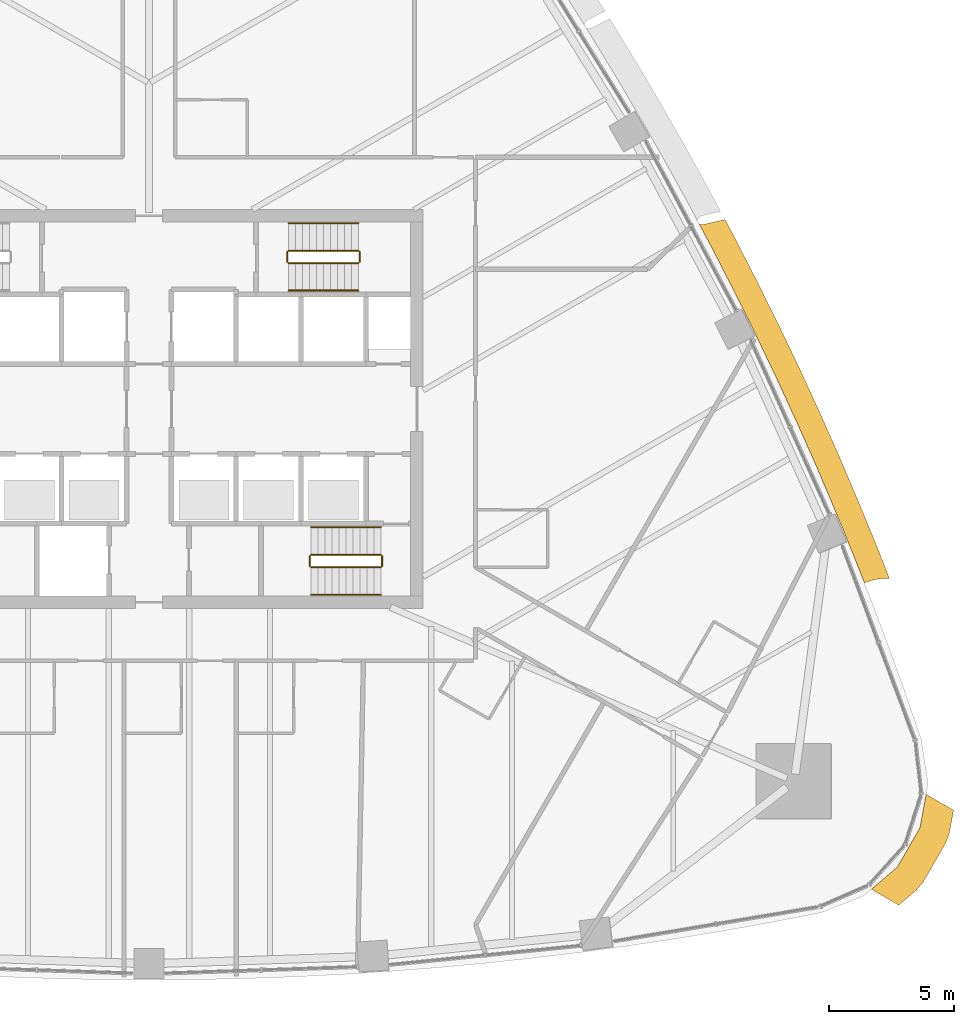
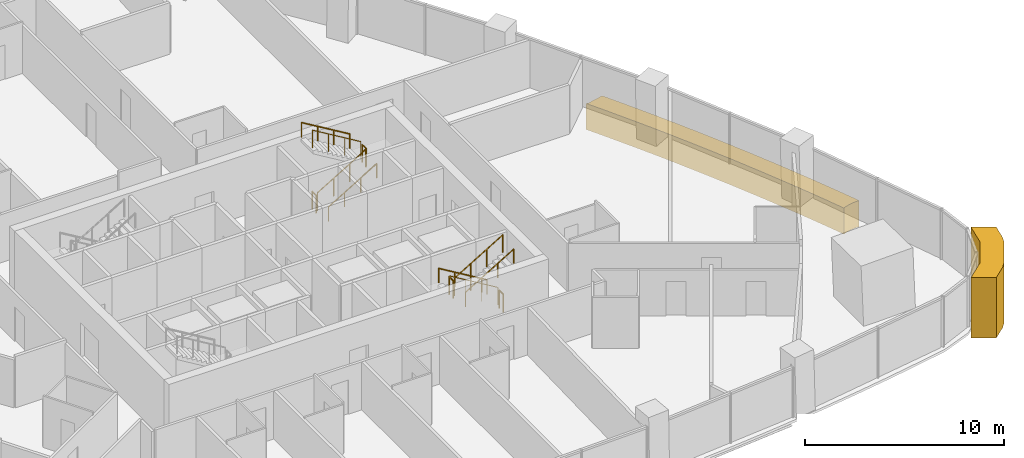
# One storey, part 15 of 17: 12 railings, 2 coverings.
"""IFC4 building model written with IfcOpenShell, lengths in metres."""

from ifc_helpers import new_model, si_unit, direction, frame, origin, origin_2d, place, context, subcontext, project, spatial, polyline, circle, outline, extrude, material, layer, layer_set, type_object, element, save


model = new_model("IFC4")

# Units and contexts
model_context = context("Model", 3, precision=1e-05, world=origin(), true_north=direction((0.0, 1.0)))
body_context = subcontext(model_context, "Body", "Model", "MODEL_VIEW")
ifc_project = project(units=[si_unit("LENGTHUNIT", "METRE"), si_unit("AREAUNIT", "SQUARE_METRE"), si_unit("VOLUMEUNIT", "CUBIC_METRE"), si_unit("PLANEANGLEUNIT", "RADIAN"), si_unit("MASSUNIT", "GRAM", prefix="KILO")], contexts=[model_context])

# Site, building, storey
site_placement = place(None, origin())
site = spatial("IfcSite", under=ifc_project, at=site_placement, CompositionType="ELEMENT")
building_placement = place(site_placement, origin())
building = spatial("IfcBuilding", under=site, at=building_placement, Name="Sierra Prisma Convention Tower", CompositionType="ELEMENT")
storey_placement = place(building_placement, frame((0.0, 0.0, 92.39990234375)))
storey = spatial("IfcBuildingStorey", under=building, at=storey_placement, Name="L19", CompositionType="ELEMENT", Elevation=92.39990234375)

# Coverings
ifc_material_1 = material(Name="Aluminium composite bronze anodised", Category="aluminium")
ifc_layer_1 = layer(ifc_material_1, 1.199951171875)
ifc_layer_set_1 = layer_set([ifc_layer_1], Name="Bronze corner pier")
covering_type_1 = type_object("IfcCoveringType", Name="Bronze corner pier", PredefinedType="CLADDING", material=ifc_layer_set_1)
covering_1_placement = place(storey_placement, frame((0.0, 0.0, -0.599853515625)))
element("IfcCovering", 1, at=covering_1_placement, inside=storey, type_object=covering_type_1, Name="Corner pier SE L19.1", PredefinedType="CLADDING", context=body_context, shape_type="SweptSolid", body=[
    extrude(outline(polyline([(32.27685546875, -16.0947265625), (32.102783203125, -17.027099609375), (31.96240234375, -17.406982421875), (31.055908203125, -18.976806640625), (30.79736328125, -19.288330078125), (30.076904296875, -19.9052734375), (28.974853515625, -19.26904296875), (30.016845703125, -18.376708984375), (30.923095703125, -16.806884765625), (31.1748046875, -15.45849609375), (32.27685546875, -16.0947265625)])), origin(), (0.0, 0.0, 1.0), 3.699951171875),
])
ifc_material_2 = material(Name="Aluminium composite bronze anodised", Category="aluminium")
ifc_layer_2 = layer(ifc_material_2, 1.0)
ifc_layer_set_2 = layer_set([ifc_layer_2], Name="Bronze spandrel band")
covering_type_2 = type_object("IfcCoveringType", Name="Bronze spandrel band", PredefinedType="CLADDING", material=ifc_layer_set_2)
covering_2_placement = place(storey_placement, frame((0.0, 0.0, -1.599853515625)))
element("IfcCovering", 2, at=covering_2_placement, inside=storey, type_object=covering_type_2, Name="Spandrel band L19.3", PredefinedType="CLADDING", context=body_context, shape_type="SweptSolid", body=[
    extrude(outline(polyline([(27.578857421875, -4.1982421875), (27.566162109375, -4.167236328125), (26.80712890625, -2.384521484375), (26.022705078125, -0.612548828125), (25.213134765625, 1.14794921875), (24.37841796875, 2.896728515625), (24.36376953125, 2.9267578125), (24.363037109375, 2.929443359375), (24.361572265625, 2.93408203125), (24.359619140625, 2.938720703125), (23.830078125, 4.015380859375), (23.82763671875, 4.019775390625), (23.824951171875, 4.023681640625), (23.822021484375, 4.02734375), (23.818359375, 4.03076171875), (23.81689453125, 4.031982421875), (23.51904296875, 4.633544921875), (22.635009765625, 6.35791015625), (22.06689453125, 7.42822265625), (22.07080078125, 7.42529296875), (22.0751953125, 7.4228515625), (22.07958984375, 7.4208984375), (22.084228515625, 7.419189453125), (22.089111328125, 7.41796875), (22.19970703125, 7.396484375), (22.204833984375, 7.395751953125), (22.2099609375, 7.3955078125), (22.215087890625, 7.39599609375), (22.22021484375, 7.39697265625), (23.107421875, 7.60107421875), (23.518310546875, 6.82666015625), (23.52490234375, 6.814208984375), (24.408935546875, 5.08984375), (24.415283203125, 5.076904296875), (25.27490234375, 3.34033203125), (25.281005859375, 3.327392578125), (26.115478515625, 1.57861328125), (26.12158203125, 1.56591796875), (26.93115234375, -0.194580078125), (26.93701171875, -0.207763671875), (27.721435546875, -1.9794921875), (27.72705078125, -1.99267578125), (28.486083984375, -3.775390625), (28.49169921875, -3.788818359375), (29.225341796875, -5.58203125), (29.230712890625, -5.595458984375), (29.700439453125, -6.79248046875), (29.48681640625, -6.795654296875), (29.241455078125, -6.823486328125), (29.0, -6.875), (28.7646484375, -6.949951171875), (28.697998046875, -6.97509765625), (28.2998046875, -5.960693359375), (28.045654296875, -5.339599609375), (28.0458984375, -5.337890625), (28.04541015625, -5.3330078125), (28.044921875, -5.328125), (28.043701171875, -5.3232421875), (28.0419921875, -5.318603515625), (27.585205078125, -4.208984375), (27.5830078125, -4.204833984375), (27.58056640625, -4.20068359375), (27.578857421875, -4.1982421875)])), origin(), (0.0, 0.0, 1.0), 1.599853515625),
])

# Railings
ifc_material_3 = material(Name="Stainless steel", Category="steel")
railing_type_1 = type_object("IfcRailingType", Name="Exit stair handrail", PredefinedType="HANDRAIL", material=ifc_material_3)
railing_1_placement = place(storey_placement, frame((9.300048828125, -4.75, 0.168212890625)))
element("IfcRailing", 3, at=railing_1_placement, inside=storey, type_object=railing_type_1, Name="L19 S2 stair handrail 1", PredefinedType="HANDRAIL", context=body_context, shape_type="SweptSolid", body=[
    extrude(circle(Radius=0.02392578125, at=origin_2d()), frame((0.0, 0.0, 0.8759765625), z_axis=(-0.857242210791, 0.0, 0.514913383045), x_axis=(0.0, -1.0, 0.0)), (0.0, 0.0, 1.0), 3.266357421875),
    extrude(circle(Radius=0.02099609375, at=origin_2d()), origin(), (0.0, 0.0, 1.0), 0.851806640625),
    extrude(circle(Radius=0.02099609375, at=origin_2d()), frame((-0.933349609375, 0.0, 0.560546875)), (0.0, 0.0, 1.0), 0.851806640625),
    extrude(circle(Radius=0.02099609375, at=origin_2d()), frame((-1.86669921875, 0.0, 1.121337890625)), (0.0, 0.0, 1.0), 0.851806640625),
    extrude(circle(Radius=0.02099609375, at=origin_2d()), frame((-2.800048828125, 0.0, 1.681884765625)), (0.0, 0.0, 1.0), 0.851806640625),
])
railing_2_placement = place(storey_placement, frame((6.5, -7.449951171875, 2.018310546875)))
element("IfcRailing", 4, at=railing_2_placement, inside=storey, type_object=railing_type_1, Name="L19 S2 stair handrail 2", PredefinedType="HANDRAIL", context=body_context, shape_type="SweptSolid", body=[
    extrude(circle(Radius=0.02392578125, at=origin_2d()), frame((0.0, 0.0, 0.8759765625), z_axis=(0.857242210791, 0.0, 0.514913383045), x_axis=(0.0, 1.0, 0.0)), (0.0, 0.0, 1.0), 3.266357421875),
    extrude(circle(Radius=0.02099609375, at=origin_2d()), origin(), (0.0, 0.0, 1.0), 0.851806640625),
    extrude(circle(Radius=0.02099609375, at=origin_2d()), frame((0.933349609375, 0.0, 0.560546875)), (0.0, 0.0, 1.0), 0.851806640625),
    extrude(circle(Radius=0.02099609375, at=origin_2d()), frame((1.86669921875, 0.0, 1.121337890625)), (0.0, 0.0, 1.0), 0.851806640625),
    extrude(circle(Radius=0.02099609375, at=origin_2d()), frame((2.800048828125, 0.0, 1.681884765625)), (0.0, 0.0, 1.0), 0.851806640625),
])
railing_3_placement = place(storey_placement, frame((5.60009765625, 4.75, 0.168212890625)))
element("IfcRailing", 5, at=railing_3_placement, inside=storey, type_object=railing_type_1, Name="L19 S4 stair handrail 1", PredefinedType="HANDRAIL", context=body_context, shape_type="SweptSolid", body=[
    extrude(circle(Radius=0.02392578125, at=origin_2d()), frame((0.0, 0.0, 0.8759765625), z_axis=(0.857222391501, 0.0, 0.514946377315), x_axis=(0.0, 1.0, 0.0)), (0.0, 0.0, 1.0), 3.26611328125),
    extrude(circle(Radius=0.02099609375, at=origin_2d()), origin(), (0.0, 0.0, 1.0), 0.851806640625),
    extrude(circle(Radius=0.02099609375, at=origin_2d()), frame((0.933349609375, 0.0, 0.560546875)), (0.0, 0.0, 1.0), 0.851806640625),
    extrude(circle(Radius=0.02099609375, at=origin_2d()), frame((1.866455078125, 0.0, 1.121337890625)), (0.0, 0.0, 1.0), 0.851806640625),
    extrude(circle(Radius=0.02099609375, at=origin_2d()), frame((2.7998046875, 0.0, 1.681884765625)), (0.0, 0.0, 1.0), 0.851806640625),
])
railing_4_placement = place(storey_placement, frame((8.39990234375, 7.449951171875, 2.018310546875)))
element("IfcRailing", 6, at=railing_4_placement, inside=storey, type_object=railing_type_1, Name="L19 S4 stair handrail 2", PredefinedType="HANDRAIL", context=body_context, shape_type="SweptSolid", body=[
    extrude(circle(Radius=0.02392578125, at=origin_2d()), frame((0.0, 0.0, 0.8759765625), z_axis=(-0.857222391501, 0.0, 0.514946377315), x_axis=(0.0, -1.0, 0.0)), (0.0, 0.0, 1.0), 3.26611328125),
    extrude(circle(Radius=0.02099609375, at=origin_2d()), origin(), (0.0, 0.0, 1.0), 0.851806640625),
    extrude(circle(Radius=0.02099609375, at=origin_2d()), frame((-0.933349609375, 0.0, 0.560546875)), (0.0, 0.0, 1.0), 0.851806640625),
    extrude(circle(Radius=0.02099609375, at=origin_2d()), frame((-1.866455078125, 0.0, 1.121337890625)), (0.0, 0.0, 1.0), 0.851806640625),
    extrude(circle(Radius=0.02099609375, at=origin_2d()), frame((-2.7998046875, 0.0, 1.681884765625)), (0.0, 0.0, 1.0), 0.851806640625),
])
ifc_material_4 = material(Name="Stainless steel", Category="steel")
railing_type_2 = type_object("IfcRailingType", Name="Stair guard 1100", PredefinedType="GUARDRAIL", material=ifc_material_4)
railing_5_placement = place(storey_placement, frame((9.300048828125, -5.85009765625, 0.168212890625)))
element("IfcRailing", 7, at=railing_5_placement, inside=storey, type_object=railing_type_2, Name="L19 S2 stair guard 1", PredefinedType="GUARDRAIL", context=body_context, shape_type="SweptSolid", body=[
    extrude(circle(Radius=0.02392578125, at=origin_2d()), frame((0.0, 0.0, 1.076171875), z_axis=(-0.857242210791, 0.0, 0.514913383045), x_axis=(0.0, -1.0, 0.0)), (0.0, 0.0, 1.0), 3.266357421875),
    extrude(circle(Radius=0.02099609375, at=origin_2d()), origin(), (0.0, 0.0, 1.0), 1.052001953125),
    extrude(circle(Radius=0.02099609375, at=origin_2d()), frame((-0.933349609375, 0.0, 0.560546875)), (0.0, 0.0, 1.0), 1.052001953125),
    extrude(circle(Radius=0.02099609375, at=origin_2d()), frame((-1.86669921875, 0.0, 1.121337890625)), (0.0, 0.0, 1.0), 1.052001953125),
    extrude(circle(Radius=0.02099609375, at=origin_2d()), frame((-2.800048828125, 0.0, 1.681884765625)), (0.0, 0.0, 1.0), 1.052001953125),
])
railing_6_placement = place(storey_placement, frame((6.449951171875, -5.89990234375, 1.85009765625)))
element("IfcRailing", 8, at=railing_6_placement, inside=storey, type_object=railing_type_2, Name="L19 S2 stair guard 2", PredefinedType="GUARDRAIL", context=body_context, shape_type="SweptSolid", body=[
    extrude(circle(Radius=0.02392578125, at=origin_2d()), frame((0.0, 0.0, 1.076171875), z_axis=(0.0, -1.0, 0.0), x_axis=(1.0, 0.0, 0.0)), (0.0, 0.0, 1.0), 0.400146484375),
    extrude(circle(Radius=0.02099609375, at=origin_2d()), origin(), (0.0, 0.0, 1.0), 1.052001953125),
    extrude(circle(Radius=0.02099609375, at=origin_2d()), frame((0.0, -0.400146484375, 0.0)), (0.0, 0.0, 1.0), 1.052001953125),
])
railing_7_placement = place(storey_placement, frame((6.5, -6.35009765625, 2.018310546875)))
element("IfcRailing", 9, at=railing_7_placement, inside=storey, type_object=railing_type_2, Name="L19 S2 stair guard 3", PredefinedType="GUARDRAIL", context=body_context, shape_type="SweptSolid", body=[
    extrude(circle(Radius=0.02392578125, at=origin_2d()), frame((0.0, 0.0, 1.076171875), z_axis=(0.857242210791, 0.0, 0.514913383045), x_axis=(0.0, 1.0, 0.0)), (0.0, 0.0, 1.0), 3.266357421875),
    extrude(circle(Radius=0.02099609375, at=origin_2d()), origin(), (0.0, 0.0, 1.0), 1.052001953125),
    extrude(circle(Radius=0.02099609375, at=origin_2d()), frame((0.933349609375, 0.0, 0.560546875)), (0.0, 0.0, 1.0), 1.052001953125),
    extrude(circle(Radius=0.02099609375, at=origin_2d()), frame((1.86669921875, 0.0, 1.121337890625)), (0.0, 0.0, 1.0), 1.052001953125),
    extrude(circle(Radius=0.02099609375, at=origin_2d()), frame((2.800048828125, 0.0, 1.681884765625)), (0.0, 0.0, 1.0), 1.052001953125),
])
railing_8_placement = place(storey_placement, frame((9.35009765625, -5.89990234375, 0.0)))
element("IfcRailing", 10, at=railing_8_placement, inside=storey, type_object=railing_type_2, Name="L19 S2 stair guard 4", PredefinedType="GUARDRAIL", context=body_context, shape_type="SweptSolid", body=[
    extrude(circle(Radius=0.02392578125, at=origin_2d()), frame((0.0, 0.0, 1.076171875), z_axis=(0.0, -1.0, 0.0), x_axis=(1.0, 0.0, 0.0)), (0.0, 0.0, 1.0), 0.400146484375),
    extrude(circle(Radius=0.02099609375, at=origin_2d()), origin(), (0.0, 0.0, 1.0), 1.052001953125),
    extrude(circle(Radius=0.02099609375, at=origin_2d()), frame((0.0, -0.400146484375, 0.0)), (0.0, 0.0, 1.0), 1.052001953125),
])
railing_9_placement = place(storey_placement, frame((5.60009765625, 5.85009765625, 0.168212890625)))
element("IfcRailing", 11, at=railing_9_placement, inside=storey, type_object=railing_type_2, Name="L19 S4 stair guard 1", PredefinedType="GUARDRAIL", context=body_context, shape_type="SweptSolid", body=[
    extrude(circle(Radius=0.02392578125, at=origin_2d()), frame((0.0, 0.0, 1.076171875), z_axis=(0.857222391501, 0.0, 0.514946377315), x_axis=(0.0, 1.0, 0.0)), (0.0, 0.0, 1.0), 3.26611328125),
    extrude(circle(Radius=0.02099609375, at=origin_2d()), origin(), (0.0, 0.0, 1.0), 1.052001953125),
    extrude(circle(Radius=0.02099609375, at=origin_2d()), frame((0.933349609375, 0.0, 0.560546875)), (0.0, 0.0, 1.0), 1.052001953125),
    extrude(circle(Radius=0.02099609375, at=origin_2d()), frame((1.866455078125, 0.0, 1.121337890625)), (0.0, 0.0, 1.0), 1.052001953125),
    extrude(circle(Radius=0.02099609375, at=origin_2d()), frame((2.7998046875, 0.0, 1.681884765625)), (0.0, 0.0, 1.0), 1.052001953125),
])
railing_10_placement = place(storey_placement, frame((8.449951171875, 5.89990234375, 1.85009765625)))
element("IfcRailing", 12, at=railing_10_placement, inside=storey, type_object=railing_type_2, Name="L19 S4 stair guard 2", PredefinedType="GUARDRAIL", context=body_context, shape_type="SweptSolid", body=[
    extrude(circle(Radius=0.02392578125, at=origin_2d()), frame((0.0, 0.0, 1.076171875), z_axis=(0.0, 1.0, 0.0), x_axis=(-1.0, 0.0, 0.0)), (0.0, 0.0, 1.0), 0.400146484375),
    extrude(circle(Radius=0.02099609375, at=origin_2d()), origin(), (0.0, 0.0, 1.0), 1.052001953125),
    extrude(circle(Radius=0.02099609375, at=origin_2d()), frame((0.0, 0.400146484375, 0.0)), (0.0, 0.0, 1.0), 1.052001953125),
])
railing_11_placement = place(storey_placement, frame((8.39990234375, 6.35009765625, 2.018310546875)))
element("IfcRailing", 13, at=railing_11_placement, inside=storey, type_object=railing_type_2, Name="L19 S4 stair guard 3", PredefinedType="GUARDRAIL", context=body_context, shape_type="SweptSolid", body=[
    extrude(circle(Radius=0.02392578125, at=origin_2d()), frame((0.0, 0.0, 1.076171875), z_axis=(-0.857222391501, 0.0, 0.514946377315), x_axis=(0.0, -1.0, 0.0)), (0.0, 0.0, 1.0), 3.26611328125),
    extrude(circle(Radius=0.02099609375, at=origin_2d()), origin(), (0.0, 0.0, 1.0), 1.052001953125),
    extrude(circle(Radius=0.02099609375, at=origin_2d()), frame((-0.933349609375, 0.0, 0.560546875)), (0.0, 0.0, 1.0), 1.052001953125),
    extrude(circle(Radius=0.02099609375, at=origin_2d()), frame((-1.866455078125, 0.0, 1.121337890625)), (0.0, 0.0, 1.0), 1.052001953125),
    extrude(circle(Radius=0.02099609375, at=origin_2d()), frame((-2.7998046875, 0.0, 1.681884765625)), (0.0, 0.0, 1.0), 1.052001953125),
])
railing_12_placement = place(storey_placement, frame((5.550048828125, 5.89990234375, 0.0)))
element("IfcRailing", 14, at=railing_12_placement, inside=storey, type_object=railing_type_2, Name="L19 S4 stair guard 4", PredefinedType="GUARDRAIL", context=body_context, shape_type="SweptSolid", body=[
    extrude(circle(Radius=0.02392578125, at=origin_2d()), frame((0.0, 0.0, 1.076171875), z_axis=(0.0, 1.0, 0.0), x_axis=(-1.0, 0.0, 0.0)), (0.0, 0.0, 1.0), 0.400146484375),
    extrude(circle(Radius=0.02099609375, at=origin_2d()), origin(), (0.0, 0.0, 1.0), 1.052001953125),
    extrude(circle(Radius=0.02099609375, at=origin_2d()), frame((0.0, 0.400146484375, 0.0)), (0.0, 0.0, 1.0), 1.052001953125),
])

save(model, "model.ifc")
